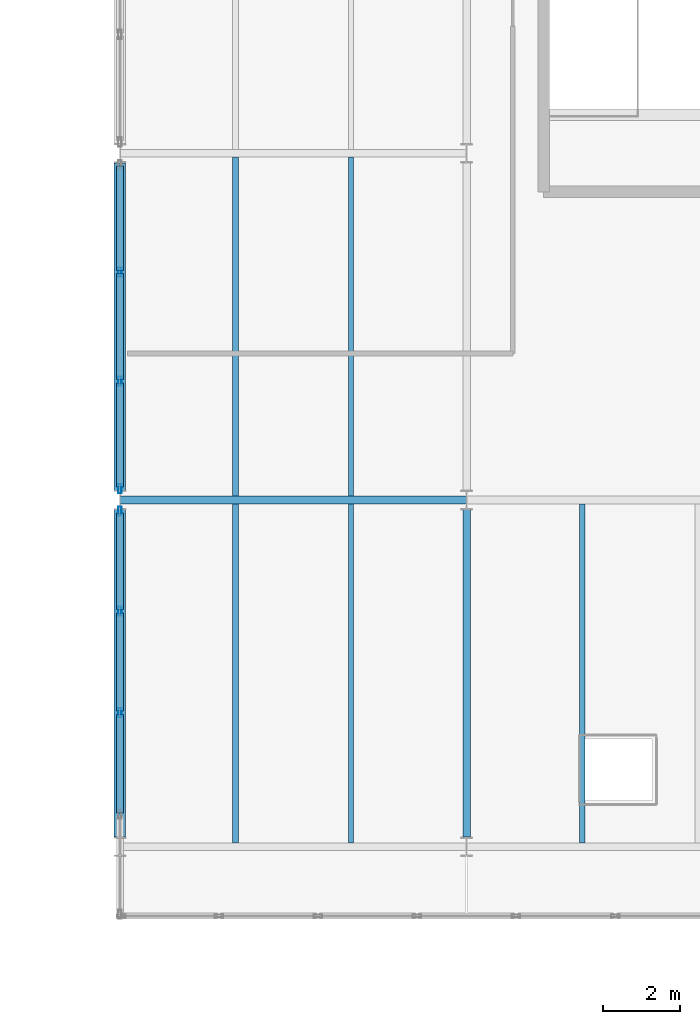
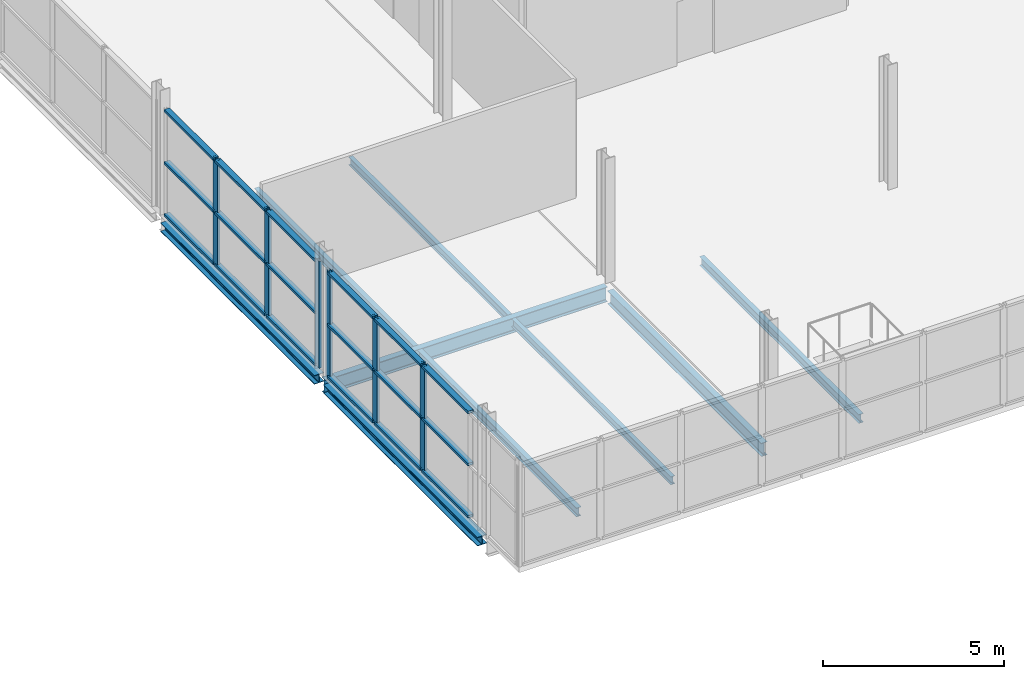
# One storey, part 8 of 59: 24 members, 9 beams, 2 elements without a shape of their own.
"""IFC4 building model written with IfcOpenShell, lengths in metres."""

from ifc_helpers import new_model, si_unit, direction, frame, origin, origin_2d, place, context, subcontext, project, spatial, hollow_rectangle, i_section, extrude, material, layer, layer_set, material_profile, profile_set, type_object, element, aggregate, save


model = new_model("IFC4")

# Units and contexts
model_context = context("Model", 3, precision=1e-05, world=origin(), true_north=direction((0.0, 1.0)))
body_context = subcontext(model_context, "Body", "Model", "MODEL_VIEW")
ifc_project = project(units=[si_unit("LENGTHUNIT", "METRE"), si_unit("AREAUNIT", "SQUARE_METRE"), si_unit("VOLUMEUNIT", "CUBIC_METRE"), si_unit("PLANEANGLEUNIT", "RADIAN"), si_unit("MASSUNIT", "GRAM", prefix="KILO")], contexts=[model_context])

# Site, building, storey
site_placement = place(None, origin())
site = spatial("IfcSite", under=ifc_project, at=site_placement, CompositionType="ELEMENT")
building_placement = place(site_placement, origin())
building = spatial("IfcBuilding", under=site, at=building_placement, Name="Deido Ridge Mobility Hub", CompositionType="ELEMENT")
storey_placement = place(building_placement, frame((0.0, 0.0, 21.0)))
storey = spatial("IfcBuildingStorey", under=building, at=storey_placement, Name="L05", CompositionType="ELEMENT", Elevation=21.0)

# Beams
ifc_material_1 = material(Name="Steel S355J2 EN 10025-2", Category="steel")
ifc_material_profile_1 = material_profile(ifc_material_1, i_section(OverallWidth=0.18994140625, OverallDepth=0.449951171875, WebThickness=0.009521484375, FlangeThickness=0.0146484375, FilletRadius=0.02099609375, at=origin_2d()), Name="IPE 450")
ifc_profile_set_1 = profile_set([ifc_material_profile_1], Name="Steel S355J2 EN 10025-2")
beam_type_1 = type_object("IfcBeamType", Name="BM-IPE450", PredefinedType="BEAM", material=ifc_profile_set_1)
beam_1_placement = place(storey_placement, frame((72.0, 45.25, -0.469970703125), z_axis=(0.0, 1.0, 0.0), x_axis=(-1.0, 0.0, 0.0)))
element("IfcBeam", 1, at=beam_1_placement, inside=storey, type_object=beam_type_1, Name="Floor beam B4", PredefinedType="BEAM", context=body_context, shape_type="SweptSolid", body=[
    extrude(i_section(OverallWidth=0.18994140625, OverallDepth=0.449951171875, WebThickness=0.009521484375, FlangeThickness=0.0146484375, FilletRadius=0.02099609375, at=origin_2d()), origin(), (0.0, 0.0, 1.0), 8.5),
])
ifc_material_profile_2 = material_profile(ifc_material_1, i_section(OverallWidth=0.199951171875, OverallDepth=0.5, WebThickness=0.01025390625, FlangeThickness=0.01611328125, FilletRadius=0.02099609375, at=origin_2d()), Name="IPE 500")
ifc_profile_set_2 = profile_set([ifc_material_profile_2], Name="Steel S355J2 EN 10025-2")
beam_type_2 = type_object("IfcBeamType", Name="BM-IPE500", PredefinedType="BEAM", material=ifc_profile_set_2)
beam_2_placement = place(storey_placement, frame((63.007080078125, 54.0, -0.4951171875), z_axis=(1.0, 0.0, 0.0), x_axis=(0.0, 1.0, 0.0)))
element("IfcBeam", 2, at=beam_2_placement, inside=storey, type_object=beam_type_2, Name="Floor beam B3", PredefinedType="BEAM", context=body_context, shape_type="SweptSolid", body=[
    extrude(i_section(OverallWidth=0.199951171875, OverallDepth=0.5, WebThickness=0.01025390625, FlangeThickness=0.01611328125, FilletRadius=0.02099609375, at=origin_2d()), origin(), (0.0, 0.0, 1.0), 8.98583984375),
])
ifc_material_profile_3 = material_profile(ifc_material_1, i_section(OverallWidth=0.135009765625, OverallDepth=0.27001953125, WebThickness=0.006591796875, FlangeThickness=0.01025390625, FilletRadius=0.014892578125, at=origin_2d()), Name="IPE 270")
ifc_profile_set_3 = profile_set([ifc_material_profile_3], Name="Steel S355J2 EN 10025-2")
beam_type_3 = type_object("IfcBeamType", Name="JST-IPE270", PredefinedType="JOIST", material=ifc_profile_set_3)
for number, where, z_axis, x_axis, name in (
    (3, (69.0, 45.10009765625, -0.3798828125), (0.0, 1.0, 0.0), (-1.0, 0.0, 0.0), "Composite joist J4"),
    (4, (69.0, 54.10009765625, -0.3798828125), (0.0, 1.0, 0.0), (-1.0, 0.0, 0.0), "Composite joist J4"),
):
    element("IfcBeam", number, at=place(storey_placement, frame(where, z_axis=z_axis, x_axis=x_axis)), inside=storey, type_object=beam_type_3, Name=name, PredefinedType="JOIST", context=body_context, shape_type="SweptSolid", body=[
        extrude(i_section(OverallWidth=0.135009765625, OverallDepth=0.27001953125, WebThickness=0.006591796875, FlangeThickness=0.01025390625, FilletRadius=0.014892578125, at=origin_2d()), origin(), (0.0, 0.0, 1.0), 8.7998046875),
    ])
ifc_material_profile_4 = material_profile(ifc_material_1, i_section(OverallWidth=0.14990234375, OverallDepth=0.300048828125, WebThickness=0.007080078125, FlangeThickness=0.0107421875, FilletRadius=0.014892578125, at=origin_2d()), Name="IPE 300")
ifc_profile_set_4 = profile_set([ifc_material_profile_4], Name="Steel S355J2 EN 10025-2")
beam_type_4 = type_object("IfcBeamType", Name="JST-IPE300", PredefinedType="JOIST", material=ifc_profile_set_4)
for number, where, z_axis, x_axis, name in (
    (5, (66.0, 45.10009765625, -0.39501953125), (0.0, 1.0, 0.0), (-1.0, 0.0, 0.0), "Composite joist J3"),
    (6, (75.0, 45.10009765625, -0.39501953125), (0.0, 1.0, 0.0), (-1.0, 0.0, 0.0), "Composite joist J3"),
    (7, (66.0, 54.10009765625, -0.39501953125), (0.0, 1.0, 0.0), (-1.0, 0.0, 0.0), "Composite joist J3"),
):
    element("IfcBeam", number, at=place(storey_placement, frame(where, z_axis=z_axis, x_axis=x_axis)), inside=storey, type_object=beam_type_4, Name=name, PredefinedType="JOIST", context=body_context, shape_type="SweptSolid", body=[
        extrude(i_section(OverallWidth=0.14990234375, OverallDepth=0.300048828125, WebThickness=0.007080078125, FlangeThickness=0.0107421875, FilletRadius=0.014892578125, at=origin_2d()), origin(), (0.0, 0.0, 1.0), 8.7998046875),
    ])

# Curtain wall, members
ifc_material_2 = material(Name="Anodised aluminium EN AW-6063 T6", Category="aluminium")
ifc_layer = layer(ifc_material_2, 0.156005859375, Name="Anodised aluminium EN AW-6063 T6")
ifc_layer_set = layer_set([ifc_layer], Name="Anodised aluminium EN AW-6063 T6")
curtain_wall_type = type_object("IfcCurtainWallType", Name="CW-GS-3", PredefinedType="USERDEFINED", material=ifc_layer_set)
curtain_wall_1_placement = place(storey_placement, origin())
curtain_wall_1 = element("IfcCurtainWall", 8, at=curtain_wall_1_placement, inside=storey, type_object=curtain_wall_type, Name="Unitised curtain wall GS3", ObjectType="GLAZED SCREEN", PredefinedType="USERDEFINED")
ifc_material_profile_5 = material_profile(ifc_material_2, hollow_rectangle(XDim=0.0849609375, YDim=0.235107421875, WallThickness=0.00390625, at=origin_2d()), Name="RHS 85x235x4")
ifc_profile_set_5 = profile_set([ifc_material_profile_5], Name="Anodised aluminium EN AW-6063 T6")
member_type_1 = type_object("IfcMemberType", Name="MEM-MUL-85X235", PredefinedType="MULLION", material=ifc_profile_set_5)
member_1_placement = place(storey_placement, frame((63.0, 48.47509765625, 0.0), z_axis=(0.0, 0.0, 1.0), x_axis=(-1.0, 0.0, 0.0)))
member_1 = element("IfcMember", 9, at=member_1_placement, type_object=member_type_1, Name="GS3 mullion 3", PredefinedType="MULLION", context=body_context, shape_type="SweptSolid", body=[
    extrude(hollow_rectangle(XDim=0.0849609375, YDim=0.235107421875, WallThickness=0.00390625, at=origin_2d()), origin(), (0.0, 0.0, 1.0), 3.60009765625),
])
member_2_placement = place(storey_placement, frame((63.0, 51.112548828125, 0.0), z_axis=(0.0, 0.0, 1.0), x_axis=(-1.0, 0.0, 0.0)))
member_2 = element("IfcMember", 10, at=member_2_placement, type_object=member_type_1, Name="GS3 mullion 4", PredefinedType="MULLION", context=body_context, shape_type="SweptSolid", body=[
    extrude(hollow_rectangle(XDim=0.0849609375, YDim=0.235107421875, WallThickness=0.00390625, at=origin_2d()), origin(), (0.0, 0.0, 1.0), 3.60009765625),
])
member_3_placement = place(storey_placement, frame((63.0, 53.70751953125, 0.0), z_axis=(0.0, 0.0, 1.0), x_axis=(-1.0, 0.0, 0.0)))
member_3 = element("IfcMember", 11, at=member_3_placement, type_object=member_type_1, Name="GS3 mullion 5", PredefinedType="MULLION", context=body_context, shape_type="SweptSolid", body=[
    extrude(hollow_rectangle(XDim=0.0849609375, YDim=0.235107421875, WallThickness=0.00390625, at=origin_2d()), origin(), (0.0, 0.0, 1.0), 3.60009765625),
])

curtain_wall_2_placement = place(storey_placement, origin())
curtain_wall_2 = element("IfcCurtainWall", 12, at=curtain_wall_2_placement, inside=storey, type_object=curtain_wall_type, Name="Unitised curtain wall GS3", ObjectType="GLAZED SCREEN", PredefinedType="USERDEFINED")
member_4_placement = place(storey_placement, frame((63.0, 54.29248046875, 0.0), z_axis=(0.0, 0.0, 1.0), x_axis=(-1.0, 0.0, 0.0)))
member_4 = element("IfcMember", 13, at=member_4_placement, type_object=member_type_1, Name="GS3 mullion 1", PredefinedType="MULLION", context=body_context, shape_type="SweptSolid", body=[
    extrude(hollow_rectangle(XDim=0.0849609375, YDim=0.235107421875, WallThickness=0.00390625, at=origin_2d()), origin(), (0.0, 0.0, 1.0), 3.60009765625),
])
member_5_placement = place(storey_placement, frame((63.0, 57.083251953125, 0.0), z_axis=(0.0, 0.0, 1.0), x_axis=(-1.0, 0.0, 0.0)))
member_5 = element("IfcMember", 14, at=member_5_placement, type_object=member_type_1, Name="GS3 mullion 2", PredefinedType="MULLION", context=body_context, shape_type="SweptSolid", body=[
    extrude(hollow_rectangle(XDim=0.0849609375, YDim=0.235107421875, WallThickness=0.00390625, at=origin_2d()), origin(), (0.0, 0.0, 1.0), 3.60009765625),
])
member_6_placement = place(storey_placement, frame((63.0, 59.916748046875, 0.0), z_axis=(0.0, 0.0, 1.0), x_axis=(-1.0, 0.0, 0.0)))
member_6 = element("IfcMember", 15, at=member_6_placement, type_object=member_type_1, Name="GS3 mullion 3", PredefinedType="MULLION", context=body_context, shape_type="SweptSolid", body=[
    extrude(hollow_rectangle(XDim=0.0849609375, YDim=0.235107421875, WallThickness=0.00390625, at=origin_2d()), origin(), (0.0, 0.0, 1.0), 3.60009765625),
])

# Member
ifc_material_profile_6 = material_profile(ifc_material_2, hollow_rectangle(XDim=0.175048828125, YDim=0.0849609375, WallThickness=0.00390625, at=origin_2d()), Name="RHS 175x85x4")
ifc_profile_set_6 = profile_set([ifc_material_profile_6], Name="Anodised aluminium EN AW-6063 T6")
member_type_2 = type_object("IfcMemberType", Name="MEM-TRN-175X85", PredefinedType="USERDEFINED", material=ifc_profile_set_6)
member_7_placement = place(storey_placement, frame((63.0, 45.8798828125, 0.04248046875), z_axis=(0.0, 1.0, 0.0), x_axis=(-1.0, 0.0, 0.0)))
member_7 = element("IfcMember", 16, at=member_7_placement, type_object=member_type_2, Name="GS3 transom 2.1", ObjectType="TRANSOM", PredefinedType="USERDEFINED", context=body_context, shape_type="SweptSolid", body=[
    extrude(hollow_rectangle(XDim=0.175048828125, YDim=0.0849609375, WallThickness=0.00390625, at=origin_2d()), origin(), (0.0, 0.0, 1.0), 2.552734375),
])

member_8_placement = place(storey_placement, frame((63.0, 45.8798828125, 1.800048828125), z_axis=(0.0, 1.0, 0.0), x_axis=(-1.0, 0.0, 0.0)))
member_8 = element("IfcMember", 17, at=member_8_placement, type_object=member_type_2, Name="GS3 transom 2.2", ObjectType="TRANSOM", PredefinedType="USERDEFINED", context=body_context, shape_type="SweptSolid", body=[
    extrude(hollow_rectangle(XDim=0.175048828125, YDim=0.0849609375, WallThickness=0.00390625, at=origin_2d()), origin(), (0.0, 0.0, 1.0), 2.552734375),
])

member_9_placement = place(storey_placement, frame((63.0, 45.8798828125, 3.5576171875), z_axis=(0.0, 1.0, 0.0), x_axis=(-1.0, 0.0, 0.0)))
member_9 = element("IfcMember", 18, at=member_9_placement, type_object=member_type_2, Name="GS3 transom 2.3", ObjectType="TRANSOM", PredefinedType="USERDEFINED", context=body_context, shape_type="SweptSolid", body=[
    extrude(hollow_rectangle(XDim=0.175048828125, YDim=0.0849609375, WallThickness=0.00390625, at=origin_2d()), origin(), (0.0, 0.0, 1.0), 2.552734375),
])

member_10_placement = place(storey_placement, frame((63.0, 48.517578125, 0.04248046875), z_axis=(0.0, 1.0, 0.0), x_axis=(-1.0, 0.0, 0.0)))
member_10 = element("IfcMember", 19, at=member_10_placement, type_object=member_type_2, Name="GS3 transom 3.1", ObjectType="TRANSOM", PredefinedType="USERDEFINED", context=body_context, shape_type="SweptSolid", body=[
    extrude(hollow_rectangle(XDim=0.175048828125, YDim=0.0849609375, WallThickness=0.00390625, at=origin_2d()), origin(), (0.0, 0.0, 1.0), 2.552490234375),
])

member_11_placement = place(storey_placement, frame((63.0, 48.517578125, 1.800048828125), z_axis=(0.0, 1.0, 0.0), x_axis=(-1.0, 0.0, 0.0)))
member_11 = element("IfcMember", 20, at=member_11_placement, type_object=member_type_2, Name="GS3 transom 3.2", ObjectType="TRANSOM", PredefinedType="USERDEFINED", context=body_context, shape_type="SweptSolid", body=[
    extrude(hollow_rectangle(XDim=0.175048828125, YDim=0.0849609375, WallThickness=0.00390625, at=origin_2d()), origin(), (0.0, 0.0, 1.0), 2.552490234375),
])

member_12_placement = place(storey_placement, frame((63.0, 48.517578125, 3.5576171875), z_axis=(0.0, 1.0, 0.0), x_axis=(-1.0, 0.0, 0.0)))
member_12 = element("IfcMember", 21, at=member_12_placement, type_object=member_type_2, Name="GS3 transom 3.3", ObjectType="TRANSOM", PredefinedType="USERDEFINED", context=body_context, shape_type="SweptSolid", body=[
    extrude(hollow_rectangle(XDim=0.175048828125, YDim=0.0849609375, WallThickness=0.00390625, at=origin_2d()), origin(), (0.0, 0.0, 1.0), 2.552490234375),
])

member_13_placement = place(storey_placement, frame((63.0, 51.155029296875, 0.04248046875), z_axis=(0.0, 1.0, 0.0), x_axis=(-1.0, 0.0, 0.0)))
member_13 = element("IfcMember", 22, at=member_13_placement, type_object=member_type_2, Name="GS3 transom 4.1", ObjectType="TRANSOM", PredefinedType="USERDEFINED", context=body_context, shape_type="SweptSolid", body=[
    extrude(hollow_rectangle(XDim=0.175048828125, YDim=0.0849609375, WallThickness=0.00390625, at=origin_2d()), origin(), (0.0, 0.0, 1.0), 2.510009765625),
])

member_14_placement = place(storey_placement, frame((63.0, 51.155029296875, 1.800048828125), z_axis=(0.0, 1.0, 0.0), x_axis=(-1.0, 0.0, 0.0)))
member_14 = element("IfcMember", 23, at=member_14_placement, type_object=member_type_2, Name="GS3 transom 4.2", ObjectType="TRANSOM", PredefinedType="USERDEFINED", context=body_context, shape_type="SweptSolid", body=[
    extrude(hollow_rectangle(XDim=0.175048828125, YDim=0.0849609375, WallThickness=0.00390625, at=origin_2d()), origin(), (0.0, 0.0, 1.0), 2.510009765625),
])

member_15_placement = place(storey_placement, frame((63.0, 51.155029296875, 3.5576171875), z_axis=(0.0, 1.0, 0.0), x_axis=(-1.0, 0.0, 0.0)))
member_15 = element("IfcMember", 24, at=member_15_placement, type_object=member_type_2, Name="GS3 transom 4.3", ObjectType="TRANSOM", PredefinedType="USERDEFINED", context=body_context, shape_type="SweptSolid", body=[
    extrude(hollow_rectangle(XDim=0.175048828125, YDim=0.0849609375, WallThickness=0.00390625, at=origin_2d()), origin(), (0.0, 0.0, 1.0), 2.510009765625),
])

aggregate(curtain_wall_1, [member_1, member_2, member_3, member_7, member_8, member_9, member_10, member_11, member_12, member_13, member_14, member_15])

member_16_placement = place(storey_placement, frame((63.0, 54.3349609375, 0.04248046875), z_axis=(0.0, 1.0, 0.0), x_axis=(-1.0, 0.0, 0.0)))
member_16 = element("IfcMember", 25, at=member_16_placement, type_object=member_type_2, Name="GS3 transom 1.1", ObjectType="TRANSOM", PredefinedType="USERDEFINED", context=body_context, shape_type="SweptSolid", body=[
    extrude(hollow_rectangle(XDim=0.175048828125, YDim=0.0849609375, WallThickness=0.00390625, at=origin_2d()), origin(), (0.0, 0.0, 1.0), 2.705810546875),
])

member_17_placement = place(storey_placement, frame((63.0, 54.3349609375, 1.800048828125), z_axis=(0.0, 1.0, 0.0), x_axis=(-1.0, 0.0, 0.0)))
member_17 = element("IfcMember", 26, at=member_17_placement, type_object=member_type_2, Name="GS3 transom 1.2", ObjectType="TRANSOM", PredefinedType="USERDEFINED", context=body_context, shape_type="SweptSolid", body=[
    extrude(hollow_rectangle(XDim=0.175048828125, YDim=0.0849609375, WallThickness=0.00390625, at=origin_2d()), origin(), (0.0, 0.0, 1.0), 2.705810546875),
])

member_18_placement = place(storey_placement, frame((63.0, 54.3349609375, 3.5576171875), z_axis=(0.0, 1.0, 0.0), x_axis=(-1.0, 0.0, 0.0)))
member_18 = element("IfcMember", 27, at=member_18_placement, type_object=member_type_2, Name="GS3 transom 1.3", ObjectType="TRANSOM", PredefinedType="USERDEFINED", context=body_context, shape_type="SweptSolid", body=[
    extrude(hollow_rectangle(XDim=0.175048828125, YDim=0.0849609375, WallThickness=0.00390625, at=origin_2d()), origin(), (0.0, 0.0, 1.0), 2.705810546875),
])

member_19_placement = place(storey_placement, frame((63.0, 57.125732421875, 0.04248046875), z_axis=(0.0, 1.0, 0.0), x_axis=(-1.0, 0.0, 0.0)))
member_19 = element("IfcMember", 28, at=member_19_placement, type_object=member_type_2, Name="GS3 transom 2.1", ObjectType="TRANSOM", PredefinedType="USERDEFINED", context=body_context, shape_type="SweptSolid", body=[
    extrude(hollow_rectangle(XDim=0.175048828125, YDim=0.0849609375, WallThickness=0.00390625, at=origin_2d()), origin(), (0.0, 0.0, 1.0), 2.74853515625),
])

member_20_placement = place(storey_placement, frame((63.0, 57.125732421875, 1.800048828125), z_axis=(0.0, 1.0, 0.0), x_axis=(-1.0, 0.0, 0.0)))
member_20 = element("IfcMember", 29, at=member_20_placement, type_object=member_type_2, Name="GS3 transom 2.2", ObjectType="TRANSOM", PredefinedType="USERDEFINED", context=body_context, shape_type="SweptSolid", body=[
    extrude(hollow_rectangle(XDim=0.175048828125, YDim=0.0849609375, WallThickness=0.00390625, at=origin_2d()), origin(), (0.0, 0.0, 1.0), 2.74853515625),
])

member_21_placement = place(storey_placement, frame((63.0, 57.125732421875, 3.5576171875), z_axis=(0.0, 1.0, 0.0), x_axis=(-1.0, 0.0, 0.0)))
member_21 = element("IfcMember", 30, at=member_21_placement, type_object=member_type_2, Name="GS3 transom 2.3", ObjectType="TRANSOM", PredefinedType="USERDEFINED", context=body_context, shape_type="SweptSolid", body=[
    extrude(hollow_rectangle(XDim=0.175048828125, YDim=0.0849609375, WallThickness=0.00390625, at=origin_2d()), origin(), (0.0, 0.0, 1.0), 2.74853515625),
])

member_22_placement = place(storey_placement, frame((63.0, 59.959228515625, 0.04248046875), z_axis=(0.0, 1.0, 0.0), x_axis=(-1.0, 0.0, 0.0)))
member_22 = element("IfcMember", 31, at=member_22_placement, type_object=member_type_2, Name="GS3 transom 3.1", ObjectType="TRANSOM", PredefinedType="USERDEFINED", context=body_context, shape_type="SweptSolid", body=[
    extrude(hollow_rectangle(XDim=0.175048828125, YDim=0.0849609375, WallThickness=0.00390625, at=origin_2d()), origin(), (0.0, 0.0, 1.0), 2.705810546875),
])

member_23_placement = place(storey_placement, frame((63.0, 59.959228515625, 1.800048828125), z_axis=(0.0, 1.0, 0.0), x_axis=(-1.0, 0.0, 0.0)))
member_23 = element("IfcMember", 32, at=member_23_placement, type_object=member_type_2, Name="GS3 transom 3.2", ObjectType="TRANSOM", PredefinedType="USERDEFINED", context=body_context, shape_type="SweptSolid", body=[
    extrude(hollow_rectangle(XDim=0.175048828125, YDim=0.0849609375, WallThickness=0.00390625, at=origin_2d()), origin(), (0.0, 0.0, 1.0), 2.705810546875),
])

member_24_placement = place(storey_placement, frame((63.0, 59.959228515625, 3.5576171875), z_axis=(0.0, 1.0, 0.0), x_axis=(-1.0, 0.0, 0.0)))
member_24 = element("IfcMember", 33, at=member_24_placement, type_object=member_type_2, Name="GS3 transom 3.3", ObjectType="TRANSOM", PredefinedType="USERDEFINED", context=body_context, shape_type="SweptSolid", body=[
    extrude(hollow_rectangle(XDim=0.175048828125, YDim=0.0849609375, WallThickness=0.00390625, at=origin_2d()), origin(), (0.0, 0.0, 1.0), 2.705810546875),
])

aggregate(curtain_wall_2, [member_4, member_5, member_6, member_16, member_17, member_18, member_19, member_20, member_21, member_22, member_23, member_24])

# Beams
ifc_material_profile_7 = material_profile(ifc_material_1, i_section(OverallWidth=0.300048828125, OverallDepth=0.300048828125, WebThickness=0.010986328125, FlangeThickness=0.01904296875, FilletRadius=0.027099609375, at=origin_2d()), Name="HEB 300")
ifc_profile_set_7 = profile_set([ifc_material_profile_7], Name="Steel S355J2 EN 10025-2")
beam_type_5 = type_object("IfcBeamType", Name="SPD-HEB300", PredefinedType="SPANDREL", material=ifc_profile_set_7)
for number, where, z_axis, x_axis, name in (
    (34, (63.0, 45.25, -0.39501953125), (0.0, 1.0, 0.0), (-1.0, 0.0, 0.0), "Floor beam SP1"),
    (35, (63.0, 54.25, -0.39501953125), (0.0, 1.0, 0.0), (-1.0, 0.0, 0.0), "Floor beam SP1"),
):
    element("IfcBeam", number, at=place(storey_placement, frame(where, z_axis=z_axis, x_axis=x_axis)), inside=storey, type_object=beam_type_5, Name=name, PredefinedType="SPANDREL", context=body_context, shape_type="SweptSolid", body=[
        extrude(i_section(OverallWidth=0.300048828125, OverallDepth=0.300048828125, WebThickness=0.010986328125, FlangeThickness=0.01904296875, FilletRadius=0.027099609375, at=origin_2d()), origin(), (0.0, 0.0, 1.0), 8.5),
    ])

save(model, "model.ifc")
